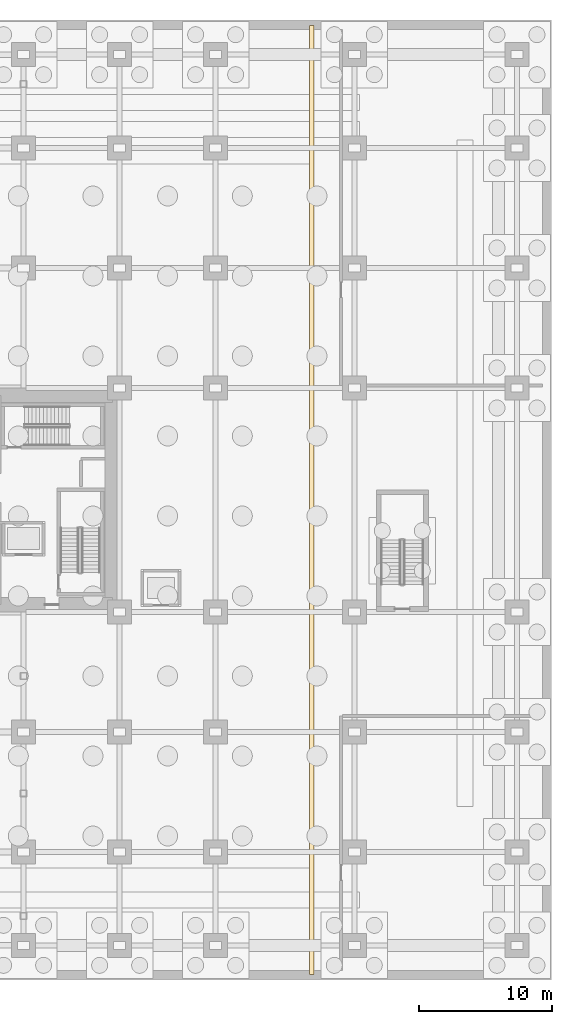
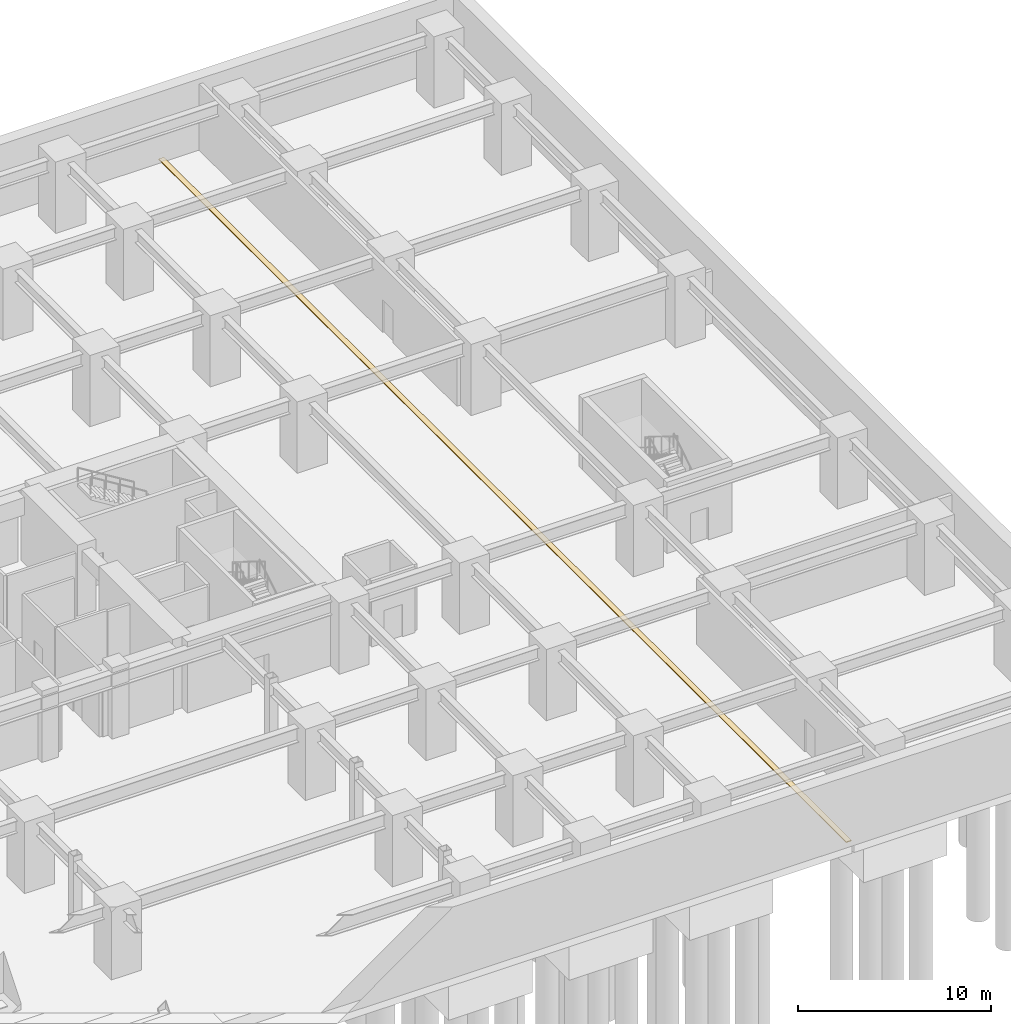
# One storey, part 21 of 23: 1 covering.
"""IFC4 building model written with IfcOpenShell, lengths in metres."""

from ifc_helpers import new_model, si_unit, direction, frame, origin, place, context, subcontext, project, spatial, polyline, outline, extrude, material, layer, layer_set, type_object, element, save


model = new_model("IFC4")

# Units and contexts
model_context = context("Model", 3, precision=1e-05, world=origin(), true_north=direction((0.0, 1.0)))
body_context = subcontext(model_context, "Body", "Model", "MODEL_VIEW")
ifc_project = project(units=[si_unit("LENGTHUNIT", "METRE"), si_unit("AREAUNIT", "SQUARE_METRE"), si_unit("VOLUMEUNIT", "CUBIC_METRE"), si_unit("PLANEANGLEUNIT", "RADIAN"), si_unit("MASSUNIT", "GRAM", prefix="KILO")], contexts=[model_context])

# Site, building, storey
site_placement = place(None, origin())
site = spatial("IfcSite", under=ifc_project, at=site_placement, CompositionType="ELEMENT")
building_placement = place(site_placement, origin())
building = spatial("IfcBuilding", under=site, at=building_placement, Name="Kiyonajd Concourse Tower", CompositionType="ELEMENT")
storey_placement = place(building_placement, frame((0.0, 0.0, -9.0)))
storey = spatial("IfcBuildingStorey", under=building, at=storey_placement, Name="B2", CompositionType="ELEMENT", Elevation=-9.0)

# Covering
ifc_material = material(Name="Riyadh Jubaila Limestone", Category="masonry")
ifc_layer = layer(ifc_material, 0.050048828125)
ifc_layer_set = layer_set([ifc_layer], Name="Riyadh Jubaila Limestone")
covering_type = type_object("IfcCoveringType", Name="CV-FLR-RAISED", PredefinedType="FLOORING", material=ifc_layer_set)
covering_placement = place(storey_placement, origin())
element("IfcCovering", 1, at=covering_placement, inside=storey, type_object=covering_type, Name="B2 Seismic Movement Joint MJ1 Floor Cover Assembly", PredefinedType="FLOORING", context=body_context, shape_type="SweptSolid", body=[
    extrude(outline(polyline([(77.840087890625, 0.39990234375), (78.159912109375, 0.39990234375), (78.159912109375, 71.60009765625), (77.840087890625, 71.60009765625), (77.840087890625, 0.39990234375)])), origin(), (0.0, 0.0, 1.0), 0.050048828125),
])

save(model, "model.ifc")
